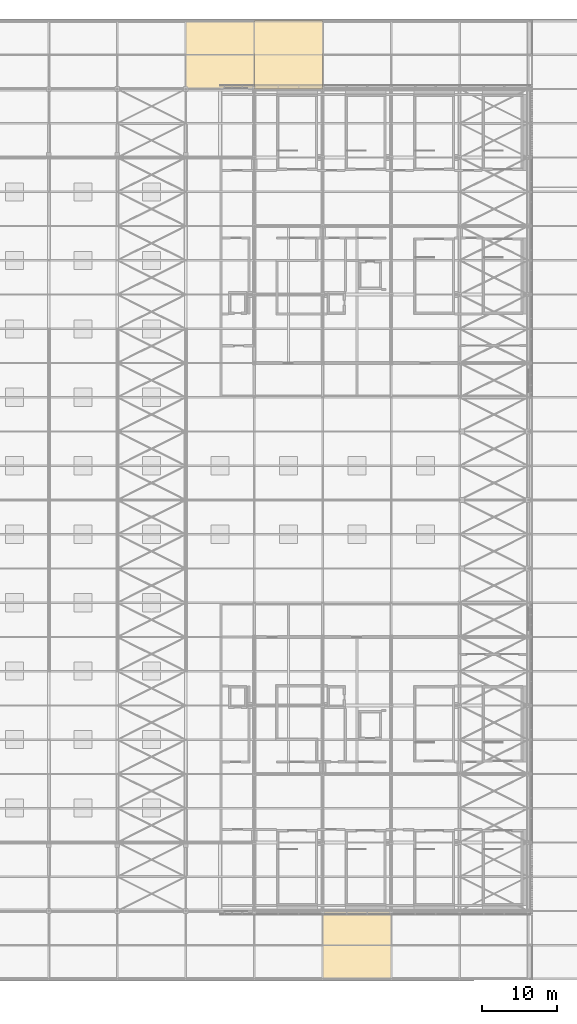
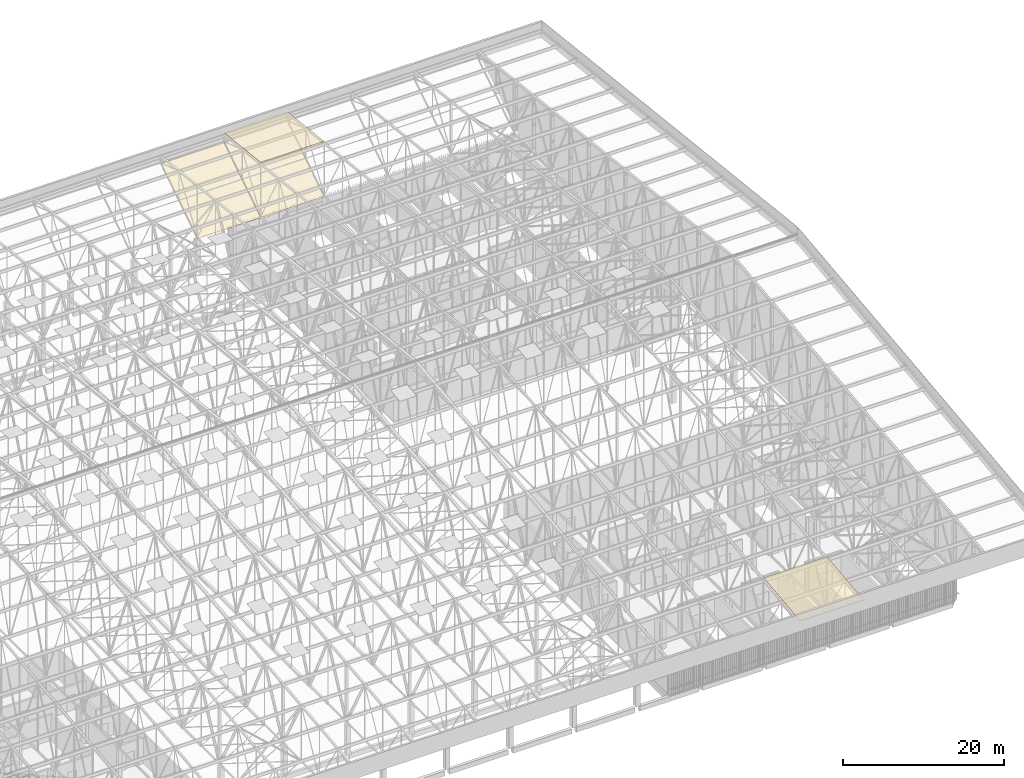
# One storey, part 483 of 500: 4 coverings.
"""IFC4 building model written with IfcOpenShell, lengths in metres."""

from ifc_helpers import new_model, si_unit, direction, frame, origin, place, context, subcontext, project, spatial, polyline, outline, extrude, material, layer, layer_set, type_object, element, save


model = new_model("IFC4")

# Units and contexts
model_context = context("Model", 3, precision=1e-05, world=origin(), true_north=direction((0.0, 1.0)))
body_context = subcontext(model_context, "Body", "Model", "MODEL_VIEW")
ifc_project = project(units=[si_unit("LENGTHUNIT", "METRE"), si_unit("AREAUNIT", "SQUARE_METRE"), si_unit("VOLUMEUNIT", "CUBIC_METRE"), si_unit("PLANEANGLEUNIT", "RADIAN"), si_unit("MASSUNIT", "GRAM", prefix="KILO")], contexts=[model_context])

# Site, building, storey
site_placement = place(None, origin())
site = spatial("IfcSite", under=ifc_project, at=site_placement, CompositionType="ELEMENT")
building_placement = place(site_placement, origin())
building = spatial("IfcBuilding", under=site, at=building_placement, Name="Shirokan Park Arena", CompositionType="ELEMENT")
storey_placement = place(building_placement, frame((0.0, 0.0, 29.1201171875)))
storey = spatial("IfcBuildingStorey", under=building, at=storey_placement, Name="L06", CompositionType="ELEMENT", Elevation=29.1201171875)

# Coverings
ifc_material_1 = material(Name="Bituminous roofing membrane")
ifc_layer_1 = layer(ifc_material_1, 0.010009765625, Name="Bituminous roofing membrane")
ifc_material_2 = material(Name="Mineral wool insulation")
ifc_layer_2 = layer(ifc_material_2, 0.050048828125, Name="Mineral wool insulation")
ifc_layer_set_1 = layer_set([ifc_layer_1, ifc_layer_2], Name="Bituminous roofing membrane + Mineral wool insulation")
covering_type_1 = type_object("IfcCoveringType", Name="Roofing membrane 60", PredefinedType="ROOFING", material=ifc_layer_set_1)
covering_1_placement = place(storey_placement, frame((109.199951171875, 109.199951171875, 12.9306640625), z_axis=(0.0, 0.113549598152, 0.993532328996), x_axis=(1.0, 0.0, 0.0)))
element("IfcCovering", 1, at=covering_1_placement, inside=storey, type_object=covering_type_1, Name="Roofing", PredefinedType="ROOFING", context=body_context, shape_type="SweptSolid", body=[
    extrude(outline(polyline([(0.0, 0.0), (9.10009765625, 0.0), (9.10009765625, 9.15933723611117), (0.0, 9.15933723611117), (0.0, 0.0)])), origin(), (0.0, 0.0, -1.0), 0.06005859375),
])
covering_2_placement = place(storey_placement, frame((118.300048828125, -9.10009765625, 11.890625), z_axis=(0.0, -0.113549598152, 0.993532328996), x_axis=(1.0, 0.0, 0.0)))
element("IfcCovering", 2, at=covering_2_placement, inside=storey, type_object=covering_type_1, Name="Roofing", PredefinedType="ROOFING", context=body_context, shape_type="SweptSolid", body=[
    extrude(outline(polyline([(0.0, 0.0), (9.099853515625, 0.0), (9.099853515625, 9.15933723611117), (0.0, 9.15933723611117), (0.0, 0.0)])), origin(), (0.0, 0.0, -1.0), 0.06005859375),
])
ifc_material_3 = material(Name="Timber soffit boards (cedar)", Category="wood")
ifc_layer_3 = layer(ifc_material_3, 0.030029296875)
ifc_layer_set_2 = layer_set([ifc_layer_3], Name="Timber soffit boards (cedar) 30 mm")
covering_type_2 = type_object("IfcCoveringType", Name="Timber boarded soffit panel", PredefinedType="CLADDING", material=ifc_layer_set_2)
covering_3_placement = place(storey_placement, origin())
element("IfcCovering", 3, at=covering_3_placement, inside=storey, type_object=covering_type_2, Name="Eave soffit north bay 12", PredefinedType="CLADDING", context=body_context, shape_type="SweptSolid", body=[
    extrude(outline(polyline([(0.0, 0.0), (0.14269332184793307, 0.0), (0.14269332184793307, -9.100000000000009), (0.0, -9.100000000000009), (0.0, 0.0)])), frame((109.199951171875, 109.320068359375, 4.60302734375), z_axis=(0.0, -0.541090493936, 0.840964373426), x_axis=(0.0, -0.840964373426, -0.541090493936)), (0.0, 0.0, -1.0), 0.030029296875),
    extrude(outline(polyline([(0.0, 0.0), (0.1426933218479331, 0.0), (0.1426933218479331, -9.10000000000001), (0.0, -9.10000000000001), (0.0, 0.0)])), frame((100.10009765625, 118.179931640625, 10.3037109375), z_axis=(0.0, -0.541090493936, 0.840964373426), x_axis=(0.0, 0.840964373426, 0.541090493936)), (0.0, 0.0, -1.0), 0.030029296875),
    extrude(outline(polyline([(0.0, 0.0), (0.12000000000000455, 0.0), (0.12000000000000455, -10.535473996759716), (0.0, -10.535473996759716), (0.0, 0.0)])), frame((109.199951171875, 109.320068359375, 4.60302734375), z_axis=(0.0, -0.541084340558, 0.84096833258), x_axis=(-1.0, 0.0, 0.0)), (0.0, 0.0, -1.0), 0.030029296875),
    extrude(outline(polyline([(0.0, 0.0), (0.12000000000000455, 0.0), (0.12000000000000455, -10.535473996759716), (0.0, -10.535473996759716), (0.0, 0.0)])), frame((100.10009765625, 118.179931640625, 10.3037109375), z_axis=(0.0, -0.541084340558, 0.84096833258), x_axis=(1.0, 0.0, 0.0)), (0.0, 0.0, -1.0), 0.030029296875),
    extrude(outline(polyline([(0.0, 0.0), (10.535473996759718, 0.0), (10.535473996759718, -0.183329999999998), (0.0, -0.183329999999998), (0.0, 0.0)])), frame((100.4033203125, 118.179931640625, 10.3037109375), z_axis=(0.0, -0.541084340558, 0.84096833258), x_axis=(0.0, -0.84096833258, -0.541084340558)), (0.0, 0.0, -1.0), 0.030029296875),
    extrude(outline(polyline([(0.0, 0.0), (10.535473996759718, 0.0), (10.535473996759718, -0.3033400000000057), (0.0, -0.3033400000000057), (0.0, 0.0)])), frame((100.706787109375, 118.179931640625, 10.3037109375), z_axis=(0.0, -0.541084340558, 0.84096833258), x_axis=(0.0, -0.84096833258, -0.541084340558)), (0.0, 0.0, -1.0), 0.030029296875),
    extrude(outline(polyline([(0.0, 0.0), (10.535473996759718, 0.0), (10.535473996759718, -0.30333000000000254), (0.0, -0.30333000000000254), (0.0, 0.0)])), frame((101.010009765625, 118.179931640625, 10.3037109375), z_axis=(0.0, -0.541084340558, 0.84096833258), x_axis=(0.0, -0.84096833258, -0.541084340558)), (0.0, 0.0, -1.0), 0.030029296875),
    extrude(outline(polyline([(0.0, 0.0), (10.535473996759718, 0.0), (10.535473996759718, -0.30332999999998833), (0.0, -0.30332999999998833), (0.0, 0.0)])), frame((101.313232421875, 118.179931640625, 10.3037109375), z_axis=(0.0, -0.541084340558, 0.84096833258), x_axis=(0.0, -0.84096833258, -0.541084340558)), (0.0, 0.0, -1.0), 0.030029296875),
    extrude(outline(polyline([(0.0, 0.0), (10.535473996759718, 0.0), (10.535473996759718, -0.3033400000000057), (0.0, -0.3033400000000057), (0.0, 0.0)])), frame((101.61669921875, 118.179931640625, 10.3037109375), z_axis=(0.0, -0.541084340558, 0.84096833258), x_axis=(0.0, -0.84096833258, -0.541084340558)), (0.0, 0.0, -1.0), 0.030029296875),
    extrude(outline(polyline([(0.0, 0.0), (10.535473996759718, 0.0), (10.535473996759718, -0.30333000000000254), (0.0, -0.30333000000000254), (0.0, 0.0)])), frame((101.919921875, 118.179931640625, 10.3037109375), z_axis=(0.0, -0.541084340558, 0.84096833258), x_axis=(0.0, -0.84096833258, -0.541084340558)), (0.0, 0.0, -1.0), 0.030029296875),
    extrude(outline(polyline([(0.0, 0.0), (10.535473996759718, 0.0), (10.535473996759718, -0.30333000000000254), (0.0, -0.30333000000000254), (0.0, 0.0)])), frame((102.223388671875, 118.179931640625, 10.3037109375), z_axis=(0.0, -0.541084340558, 0.84096833258), x_axis=(0.0, -0.84096833258, -0.541084340558)), (0.0, 0.0, -1.0), 0.030029296875),
    extrude(outline(polyline([(0.0, 0.0), (10.53547399675972, 0.0), (10.53547399675972, -0.3033399999999915), (0.0, -0.3033399999999915), (0.0, 0.0)])), frame((102.526611328125, 118.179931640625, 10.3037109375), z_axis=(0.0, -0.541084340558, 0.84096833258), x_axis=(0.0, -0.84096833258, -0.541084340558)), (0.0, 0.0, -1.0), 0.030029296875),
    extrude(outline(polyline([(0.0, 0.0), (10.535473996759718, 0.0), (10.535473996759718, -0.30333000000000254), (0.0, -0.30333000000000254), (0.0, 0.0)])), frame((102.830078125, 118.179931640625, 10.3037109375), z_axis=(0.0, -0.541084340558, 0.84096833258), x_axis=(0.0, -0.84096833258, -0.541084340558)), (0.0, 0.0, -1.0), 0.030029296875),
    extrude(outline(polyline([(0.0, 0.0), (10.535473996759718, 0.0), (10.535473996759718, -0.30333000000000254), (0.0, -0.30333000000000254), (0.0, 0.0)])), frame((103.13330078125, 118.179931640625, 10.3037109375), z_axis=(0.0, -0.541084340558, 0.84096833258), x_axis=(0.0, -0.84096833258, -0.541084340558)), (0.0, 0.0, -1.0), 0.030029296875),
    extrude(outline(polyline([(0.0, 0.0), (10.535473996759718, 0.0), (10.535473996759718, -0.3033400000000057), (0.0, -0.3033400000000057), (0.0, 0.0)])), frame((103.436767578125, 118.179931640625, 10.3037109375), z_axis=(0.0, -0.541084340558, 0.84096833258), x_axis=(0.0, -0.84096833258, -0.541084340558)), (0.0, 0.0, -1.0), 0.030029296875),
    extrude(outline(polyline([(0.0, 0.0), (10.535473996759718, 0.0), (10.535473996759718, -0.30332999999998833), (0.0, -0.30332999999998833), (0.0, 0.0)])), frame((103.739990234375, 118.179931640625, 10.3037109375), z_axis=(0.0, -0.541084340558, 0.84096833258), x_axis=(0.0, -0.84096833258, -0.541084340558)), (0.0, 0.0, -1.0), 0.030029296875),
    extrude(outline(polyline([(0.0, 0.0), (10.535473996759718, 0.0), (10.535473996759718, -0.30333000000000254), (0.0, -0.30333000000000254), (0.0, 0.0)])), frame((104.043212890625, 118.179931640625, 10.3037109375), z_axis=(0.0, -0.541084340558, 0.84096833258), x_axis=(0.0, -0.84096833258, -0.541084340558)), (0.0, 0.0, -1.0), 0.030029296875),
    extrude(outline(polyline([(0.0, 0.0), (10.535473996759718, 0.0), (10.535473996759718, -0.3033400000000057), (0.0, -0.3033400000000057), (0.0, 0.0)])), frame((104.3466796875, 118.179931640625, 10.3037109375), z_axis=(0.0, -0.541084340558, 0.84096833258), x_axis=(0.0, -0.84096833258, -0.541084340558)), (0.0, 0.0, -1.0), 0.030029296875),
    extrude(outline(polyline([(0.0, 0.0), (10.535473996759718, 0.0), (10.535473996759718, -0.30333000000000254), (0.0, -0.30333000000000254), (0.0, 0.0)])), frame((104.64990234375, 118.179931640625, 10.3037109375), z_axis=(0.0, -0.541084340558, 0.84096833258), x_axis=(0.0, -0.84096833258, -0.541084340558)), (0.0, 0.0, -1.0), 0.030029296875),
    extrude(outline(polyline([(0.0, 0.0), (10.535473996759718, 0.0), (10.535473996759718, -0.30332999999998833), (0.0, -0.30332999999998833), (0.0, 0.0)])), frame((104.953369140625, 118.179931640625, 10.3037109375), z_axis=(0.0, -0.541084340558, 0.84096833258), x_axis=(0.0, -0.84096833258, -0.541084340558)), (0.0, 0.0, -1.0), 0.030029296875),
    extrude(outline(polyline([(0.0, 0.0), (10.535473996759718, 0.0), (10.535473996759718, -0.3033400000000057), (0.0, -0.3033400000000057), (0.0, 0.0)])), frame((105.256591796875, 118.179931640625, 10.3037109375), z_axis=(0.0, -0.541084340558, 0.84096833258), x_axis=(0.0, -0.84096833258, -0.541084340558)), (0.0, 0.0, -1.0), 0.030029296875),
    extrude(outline(polyline([(0.0, 0.0), (10.535473996759718, 0.0), (10.535473996759718, -0.30333000000000254), (0.0, -0.30333000000000254), (0.0, 0.0)])), frame((105.56005859375, 118.179931640625, 10.3037109375), z_axis=(0.0, -0.541084340558, 0.84096833258), x_axis=(0.0, -0.84096833258, -0.541084340558)), (0.0, 0.0, -1.0), 0.030029296875),
    extrude(outline(polyline([(0.0, 0.0), (10.535473996759718, 0.0), (10.535473996759718, -0.30333000000000254), (0.0, -0.30333000000000254), (0.0, 0.0)])), frame((105.86328125, 118.179931640625, 10.3037109375), z_axis=(0.0, -0.541084340558, 0.84096833258), x_axis=(0.0, -0.84096833258, -0.541084340558)), (0.0, 0.0, -1.0), 0.030029296875),
    extrude(outline(polyline([(0.0, 0.0), (10.53547399675972, 0.0), (10.53547399675972, -0.3033399999999915), (0.0, -0.3033399999999915), (0.0, 0.0)])), frame((106.166748046875, 118.179931640625, 10.3037109375), z_axis=(0.0, -0.541084340558, 0.84096833258), x_axis=(0.0, -0.84096833258, -0.541084340558)), (0.0, 0.0, -1.0), 0.030029296875),
    extrude(outline(polyline([(0.0, 0.0), (10.535473996759718, 0.0), (10.535473996759718, -0.30333000000000254), (0.0, -0.30333000000000254), (0.0, 0.0)])), frame((106.469970703125, 118.179931640625, 10.3037109375), z_axis=(0.0, -0.541084340558, 0.84096833258), x_axis=(0.0, -0.84096833258, -0.541084340558)), (0.0, 0.0, -1.0), 0.030029296875),
    extrude(outline(polyline([(0.0, 0.0), (10.535473996759718, 0.0), (10.535473996759718, -0.30333000000000254), (0.0, -0.30333000000000254), (0.0, 0.0)])), frame((106.7734375, 118.179931640625, 10.3037109375), z_axis=(0.0, -0.541084340558, 0.84096833258), x_axis=(0.0, -0.84096833258, -0.541084340558)), (0.0, 0.0, -1.0), 0.030029296875),
    extrude(outline(polyline([(0.0, 0.0), (10.53547399675972, 0.0), (10.53547399675972, -0.3033399999999915), (0.0, -0.3033399999999915), (0.0, 0.0)])), frame((107.07666015625, 118.179931640625, 10.3037109375), z_axis=(0.0, -0.541084340558, 0.84096833258), x_axis=(0.0, -0.84096833258, -0.541084340558)), (0.0, 0.0, -1.0), 0.030029296875),
    extrude(outline(polyline([(0.0, 0.0), (10.535473996759718, 0.0), (10.535473996759718, -0.30333000000000254), (0.0, -0.30333000000000254), (0.0, 0.0)])), frame((107.3798828125, 118.179931640625, 10.3037109375), z_axis=(0.0, -0.541084340558, 0.84096833258), x_axis=(0.0, -0.84096833258, -0.541084340558)), (0.0, 0.0, -1.0), 0.030029296875),
    extrude(outline(polyline([(0.0, 0.0), (10.535473996759718, 0.0), (10.535473996759718, -0.30333000000000254), (0.0, -0.30333000000000254), (0.0, 0.0)])), frame((107.683349609375, 118.179931640625, 10.3037109375), z_axis=(0.0, -0.541084340558, 0.84096833258), x_axis=(0.0, -0.84096833258, -0.541084340558)), (0.0, 0.0, -1.0), 0.030029296875),
    extrude(outline(polyline([(0.0, 0.0), (10.535473996759718, 0.0), (10.535473996759718, -0.3033400000000057), (0.0, -0.3033400000000057), (0.0, 0.0)])), frame((107.986572265625, 118.179931640625, 10.3037109375), z_axis=(0.0, -0.541084340558, 0.84096833258), x_axis=(0.0, -0.84096833258, -0.541084340558)), (0.0, 0.0, -1.0), 0.030029296875),
    extrude(outline(polyline([(0.0, 0.0), (10.535473996759718, 0.0), (10.535473996759718, -0.30333000000000254), (0.0, -0.30333000000000254), (0.0, 0.0)])), frame((108.2900390625, 118.179931640625, 10.3037109375), z_axis=(0.0, -0.541084340558, 0.84096833258), x_axis=(0.0, -0.84096833258, -0.541084340558)), (0.0, 0.0, -1.0), 0.030029296875),
    extrude(outline(polyline([(0.0, 0.0), (10.535473996759718, 0.0), (10.535473996759718, -0.30332999999998833), (0.0, -0.30332999999998833), (0.0, 0.0)])), frame((108.59326171875, 118.179931640625, 10.3037109375), z_axis=(0.0, -0.541084340558, 0.84096833258), x_axis=(0.0, -0.84096833258, -0.541084340558)), (0.0, 0.0, -1.0), 0.030029296875),
    extrude(outline(polyline([(0.0, 0.0), (10.535473996759718, 0.0), (10.535473996759718, -0.3033400000000057), (0.0, -0.3033400000000057), (0.0, 0.0)])), frame((108.896728515625, 118.179931640625, 10.3037109375), z_axis=(0.0, -0.541084340558, 0.84096833258), x_axis=(0.0, -0.84096833258, -0.541084340558)), (0.0, 0.0, -1.0), 0.030029296875),
    extrude(outline(polyline([(0.0, 0.0), (10.535473996759718, 0.0), (10.535473996759718, -0.183329999999998), (0.0, -0.183329999999998), (0.0, 0.0)])), frame((109.080078125, 118.179931640625, 10.3037109375), z_axis=(0.0, -0.541084340558, 0.84096833258), x_axis=(0.0, -0.84096833258, -0.541084340558)), (0.0, 0.0, -1.0), 0.030029296875),
])
covering_4_placement = place(storey_placement, origin())
element("IfcCovering", 4, at=covering_4_placement, inside=storey, type_object=covering_type_2, Name="Eave soffit north bay 13", PredefinedType="CLADDING", context=body_context, shape_type="SweptSolid", body=[
    extrude(outline(polyline([(0.0, 0.0), (0.1426933218479331, 0.0), (0.1426933218479331, -9.099999999999996), (0.0, -9.099999999999996), (0.0, 0.0)])), frame((118.300048828125, 109.320068359375, 4.60302734375), z_axis=(0.0, -0.541090493936, 0.840964373426), x_axis=(0.0, -0.840964373426, -0.541090493936)), (0.0, 0.0, -1.0), 0.030029296875),
    extrude(outline(polyline([(0.0, 0.0), (0.1426933218479331, 0.0), (0.1426933218479331, -9.099999999999996), (0.0, -9.099999999999996), (0.0, 0.0)])), frame((109.199951171875, 118.179931640625, 10.3037109375), z_axis=(0.0, -0.541090493936, 0.840964373426), x_axis=(0.0, 0.840964373426, 0.541090493936)), (0.0, 0.0, -1.0), 0.030029296875),
    extrude(outline(polyline([(0.0, 0.0), (0.11999999999999034, 0.0), (0.11999999999999034, -10.535473996759718), (0.0, -10.535473996759718), (0.0, 0.0)])), frame((118.300048828125, 109.320068359375, 4.60302734375), z_axis=(0.0, -0.541084340558, 0.84096833258), x_axis=(-1.0, 0.0, 0.0)), (0.0, 0.0, -1.0), 0.030029296875),
    extrude(outline(polyline([(0.0, 0.0), (0.11999999999999034, 0.0), (0.11999999999999034, -10.535473996759718), (0.0, -10.535473996759718), (0.0, 0.0)])), frame((109.199951171875, 118.179931640625, 10.3037109375), z_axis=(0.0, -0.541084340558, 0.84096833258), x_axis=(1.0, 0.0, 0.0)), (0.0, 0.0, -1.0), 0.030029296875),
    extrude(outline(polyline([(0.0, 0.0), (10.535473996759718, 0.0), (10.535473996759718, -0.1833300000000122), (0.0, -0.1833300000000122), (0.0, 0.0)])), frame((109.50341796875, 118.179931640625, 10.3037109375), z_axis=(0.0, -0.541084340558, 0.84096833258), x_axis=(0.0, -0.84096833258, -0.541084340558)), (0.0, 0.0, -1.0), 0.030029296875),
    extrude(outline(polyline([(0.0, 0.0), (10.53547399675972, 0.0), (10.53547399675972, -0.3033399999999915), (0.0, -0.3033399999999915), (0.0, 0.0)])), frame((109.806640625, 118.179931640625, 10.3037109375), z_axis=(0.0, -0.541084340558, 0.84096833258), x_axis=(0.0, -0.84096833258, -0.541084340558)), (0.0, 0.0, -1.0), 0.030029296875),
    extrude(outline(polyline([(0.0, 0.0), (10.535473996759718, 0.0), (10.535473996759718, -0.30333000000000254), (0.0, -0.30333000000000254), (0.0, 0.0)])), frame((110.110107421875, 118.179931640625, 10.3037109375), z_axis=(0.0, -0.541084340558, 0.84096833258), x_axis=(0.0, -0.84096833258, -0.541084340558)), (0.0, 0.0, -1.0), 0.030029296875),
    extrude(outline(polyline([(0.0, 0.0), (10.535473996759718, 0.0), (10.535473996759718, -0.30333000000000254), (0.0, -0.30333000000000254), (0.0, 0.0)])), frame((110.413330078125, 118.179931640625, 10.3037109375), z_axis=(0.0, -0.541084340558, 0.84096833258), x_axis=(0.0, -0.84096833258, -0.541084340558)), (0.0, 0.0, -1.0), 0.030029296875),
    extrude(outline(polyline([(0.0, 0.0), (10.53547399675972, 0.0), (10.53547399675972, -0.3033399999999915), (0.0, -0.3033399999999915), (0.0, 0.0)])), frame((110.716552734375, 118.179931640625, 10.3037109375), z_axis=(0.0, -0.541084340558, 0.84096833258), x_axis=(0.0, -0.84096833258, -0.541084340558)), (0.0, 0.0, -1.0), 0.030029296875),
    extrude(outline(polyline([(0.0, 0.0), (10.535473996759718, 0.0), (10.535473996759718, -0.30333000000000254), (0.0, -0.30333000000000254), (0.0, 0.0)])), frame((111.02001953125, 118.179931640625, 10.3037109375), z_axis=(0.0, -0.541084340558, 0.84096833258), x_axis=(0.0, -0.84096833258, -0.541084340558)), (0.0, 0.0, -1.0), 0.030029296875),
    extrude(outline(polyline([(0.0, 0.0), (10.535473996759718, 0.0), (10.535473996759718, -0.30333000000000254), (0.0, -0.30333000000000254), (0.0, 0.0)])), frame((111.3232421875, 118.179931640625, 10.3037109375), z_axis=(0.0, -0.541084340558, 0.84096833258), x_axis=(0.0, -0.84096833258, -0.541084340558)), (0.0, 0.0, -1.0), 0.030029296875),
    extrude(outline(polyline([(0.0, 0.0), (10.535473996759718, 0.0), (10.535473996759718, -0.3033400000000057), (0.0, -0.3033400000000057), (0.0, 0.0)])), frame((111.626708984375, 118.179931640625, 10.3037109375), z_axis=(0.0, -0.541084340558, 0.84096833258), x_axis=(0.0, -0.84096833258, -0.541084340558)), (0.0, 0.0, -1.0), 0.030029296875),
    extrude(outline(polyline([(0.0, 0.0), (10.535473996759718, 0.0), (10.535473996759718, -0.30333000000000254), (0.0, -0.30333000000000254), (0.0, 0.0)])), frame((111.929931640625, 118.179931640625, 10.3037109375), z_axis=(0.0, -0.541084340558, 0.84096833258), x_axis=(0.0, -0.84096833258, -0.541084340558)), (0.0, 0.0, -1.0), 0.030029296875),
    extrude(outline(polyline([(0.0, 0.0), (10.535473996759718, 0.0), (10.535473996759718, -0.30332999999998833), (0.0, -0.30332999999998833), (0.0, 0.0)])), frame((112.2333984375, 118.179931640625, 10.3037109375), z_axis=(0.0, -0.541084340558, 0.84096833258), x_axis=(0.0, -0.84096833258, -0.541084340558)), (0.0, 0.0, -1.0), 0.030029296875),
    extrude(outline(polyline([(0.0, 0.0), (10.535473996759718, 0.0), (10.535473996759718, -0.3033400000000057), (0.0, -0.3033400000000057), (0.0, 0.0)])), frame((112.53662109375, 118.179931640625, 10.3037109375), z_axis=(0.0, -0.541084340558, 0.84096833258), x_axis=(0.0, -0.84096833258, -0.541084340558)), (0.0, 0.0, -1.0), 0.030029296875),
    extrude(outline(polyline([(0.0, 0.0), (10.535473996759718, 0.0), (10.535473996759718, -0.30333000000000254), (0.0, -0.30333000000000254), (0.0, 0.0)])), frame((112.840087890625, 118.179931640625, 10.3037109375), z_axis=(0.0, -0.541084340558, 0.84096833258), x_axis=(0.0, -0.84096833258, -0.541084340558)), (0.0, 0.0, -1.0), 0.030029296875),
    extrude(outline(polyline([(0.0, 0.0), (10.535473996759718, 0.0), (10.535473996759718, -0.30333000000000254), (0.0, -0.30333000000000254), (0.0, 0.0)])), frame((113.143310546875, 118.179931640625, 10.3037109375), z_axis=(0.0, -0.541084340558, 0.84096833258), x_axis=(0.0, -0.84096833258, -0.541084340558)), (0.0, 0.0, -1.0), 0.030029296875),
    extrude(outline(polyline([(0.0, 0.0), (10.53547399675972, 0.0), (10.53547399675972, -0.3033399999999915), (0.0, -0.3033399999999915), (0.0, 0.0)])), frame((113.44677734375, 118.179931640625, 10.3037109375), z_axis=(0.0, -0.541084340558, 0.84096833258), x_axis=(0.0, -0.84096833258, -0.541084340558)), (0.0, 0.0, -1.0), 0.030029296875),
    extrude(outline(polyline([(0.0, 0.0), (10.535473996759718, 0.0), (10.535473996759718, -0.30333000000000254), (0.0, -0.30333000000000254), (0.0, 0.0)])), frame((113.75, 118.179931640625, 10.3037109375), z_axis=(0.0, -0.541084340558, 0.84096833258), x_axis=(0.0, -0.84096833258, -0.541084340558)), (0.0, 0.0, -1.0), 0.030029296875),
    extrude(outline(polyline([(0.0, 0.0), (10.535473996759718, 0.0), (10.535473996759718, -0.30333000000000254), (0.0, -0.30333000000000254), (0.0, 0.0)])), frame((114.05322265625, 118.179931640625, 10.3037109375), z_axis=(0.0, -0.541084340558, 0.84096833258), x_axis=(0.0, -0.84096833258, -0.541084340558)), (0.0, 0.0, -1.0), 0.030029296875),
    extrude(outline(polyline([(0.0, 0.0), (10.53547399675972, 0.0), (10.53547399675972, -0.3033399999999915), (0.0, -0.3033399999999915), (0.0, 0.0)])), frame((114.356689453125, 118.179931640625, 10.3037109375), z_axis=(0.0, -0.541084340558, 0.84096833258), x_axis=(0.0, -0.84096833258, -0.541084340558)), (0.0, 0.0, -1.0), 0.030029296875),
    extrude(outline(polyline([(0.0, 0.0), (10.535473996759718, 0.0), (10.535473996759718, -0.30333000000000254), (0.0, -0.30333000000000254), (0.0, 0.0)])), frame((114.659912109375, 118.179931640625, 10.3037109375), z_axis=(0.0, -0.541084340558, 0.84096833258), x_axis=(0.0, -0.84096833258, -0.541084340558)), (0.0, 0.0, -1.0), 0.030029296875),
    extrude(outline(polyline([(0.0, 0.0), (10.535473996759718, 0.0), (10.535473996759718, -0.30333000000000254), (0.0, -0.30333000000000254), (0.0, 0.0)])), frame((114.96337890625, 118.179931640625, 10.3037109375), z_axis=(0.0, -0.541084340558, 0.84096833258), x_axis=(0.0, -0.84096833258, -0.541084340558)), (0.0, 0.0, -1.0), 0.030029296875),
    extrude(outline(polyline([(0.0, 0.0), (10.535473996759718, 0.0), (10.535473996759718, -0.3033400000000057), (0.0, -0.3033400000000057), (0.0, 0.0)])), frame((115.2666015625, 118.179931640625, 10.3037109375), z_axis=(0.0, -0.541084340558, 0.84096833258), x_axis=(0.0, -0.84096833258, -0.541084340558)), (0.0, 0.0, -1.0), 0.030029296875),
    extrude(outline(polyline([(0.0, 0.0), (10.535473996759718, 0.0), (10.535473996759718, -0.30332999999998833), (0.0, -0.30332999999998833), (0.0, 0.0)])), frame((115.570068359375, 118.179931640625, 10.3037109375), z_axis=(0.0, -0.541084340558, 0.84096833258), x_axis=(0.0, -0.84096833258, -0.541084340558)), (0.0, 0.0, -1.0), 0.030029296875),
    extrude(outline(polyline([(0.0, 0.0), (10.535473996759718, 0.0), (10.535473996759718, -0.30333000000000254), (0.0, -0.30333000000000254), (0.0, 0.0)])), frame((115.873291015625, 118.179931640625, 10.3037109375), z_axis=(0.0, -0.541084340558, 0.84096833258), x_axis=(0.0, -0.84096833258, -0.541084340558)), (0.0, 0.0, -1.0), 0.030029296875),
    extrude(outline(polyline([(0.0, 0.0), (10.535473996759718, 0.0), (10.535473996759718, -0.3033400000000057), (0.0, -0.3033400000000057), (0.0, 0.0)])), frame((116.1767578125, 118.179931640625, 10.3037109375), z_axis=(0.0, -0.541084340558, 0.84096833258), x_axis=(0.0, -0.84096833258, -0.541084340558)), (0.0, 0.0, -1.0), 0.030029296875),
    extrude(outline(polyline([(0.0, 0.0), (10.535473996759718, 0.0), (10.535473996759718, -0.30333000000000254), (0.0, -0.30333000000000254), (0.0, 0.0)])), frame((116.47998046875, 118.179931640625, 10.3037109375), z_axis=(0.0, -0.541084340558, 0.84096833258), x_axis=(0.0, -0.84096833258, -0.541084340558)), (0.0, 0.0, -1.0), 0.030029296875),
    extrude(outline(polyline([(0.0, 0.0), (10.535473996759718, 0.0), (10.535473996759718, -0.30333000000000254), (0.0, -0.30333000000000254), (0.0, 0.0)])), frame((116.783447265625, 118.179931640625, 10.3037109375), z_axis=(0.0, -0.541084340558, 0.84096833258), x_axis=(0.0, -0.84096833258, -0.541084340558)), (0.0, 0.0, -1.0), 0.030029296875),
    extrude(outline(polyline([(0.0, 0.0), (10.53547399675972, 0.0), (10.53547399675972, -0.3033399999999915), (0.0, -0.3033399999999915), (0.0, 0.0)])), frame((117.086669921875, 118.179931640625, 10.3037109375), z_axis=(0.0, -0.541084340558, 0.84096833258), x_axis=(0.0, -0.84096833258, -0.541084340558)), (0.0, 0.0, -1.0), 0.030029296875),
    extrude(outline(polyline([(0.0, 0.0), (10.535473996759718, 0.0), (10.535473996759718, -0.30333000000000254), (0.0, -0.30333000000000254), (0.0, 0.0)])), frame((117.389892578125, 118.179931640625, 10.3037109375), z_axis=(0.0, -0.541084340558, 0.84096833258), x_axis=(0.0, -0.84096833258, -0.541084340558)), (0.0, 0.0, -1.0), 0.030029296875),
    extrude(outline(polyline([(0.0, 0.0), (10.535473996759718, 0.0), (10.535473996759718, -0.30333000000000254), (0.0, -0.30333000000000254), (0.0, 0.0)])), frame((117.693359375, 118.179931640625, 10.3037109375), z_axis=(0.0, -0.541084340558, 0.84096833258), x_axis=(0.0, -0.84096833258, -0.541084340558)), (0.0, 0.0, -1.0), 0.030029296875),
    extrude(outline(polyline([(0.0, 0.0), (10.53547399675972, 0.0), (10.53547399675972, -0.30333999999999156), (0.0, -0.30333999999999156), (0.0, 0.0)])), frame((117.99658203125, 118.179931640625, 10.3037109375), z_axis=(0.0, -0.541084340558, 0.84096833258), x_axis=(0.0, -0.84096833258, -0.541084340558)), (0.0, 0.0, -1.0), 0.030029296875),
    extrude(outline(polyline([(0.0, 0.0), (10.535473996759718, 0.0), (10.535473996759718, -0.1833300000000122), (0.0, -0.1833300000000122), (0.0, 0.0)])), frame((118.179931640625, 118.179931640625, 10.3037109375), z_axis=(0.0, -0.541084340558, 0.84096833258), x_axis=(0.0, -0.84096833258, -0.541084340558)), (0.0, 0.0, -1.0), 0.030029296875),
])

save(model, "model.ifc")
